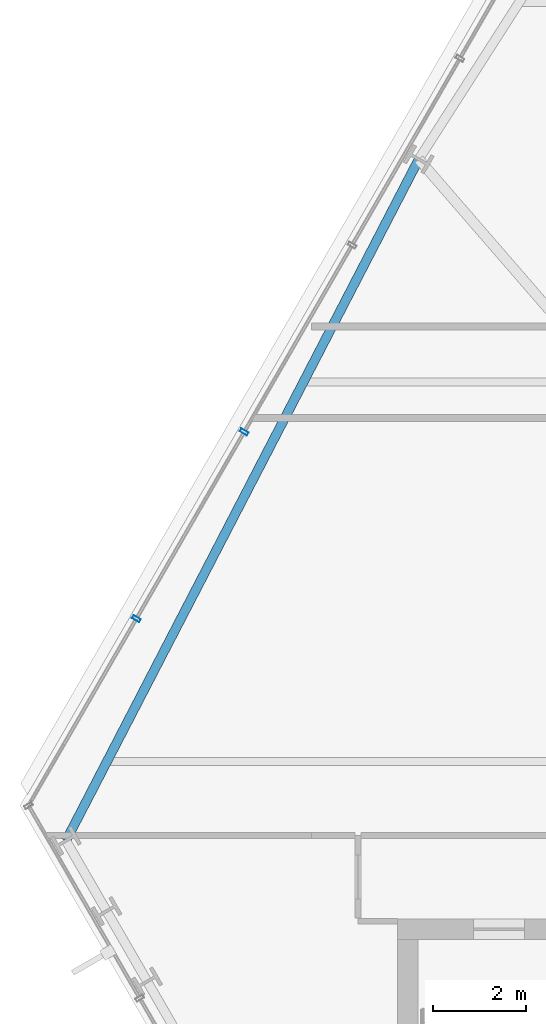
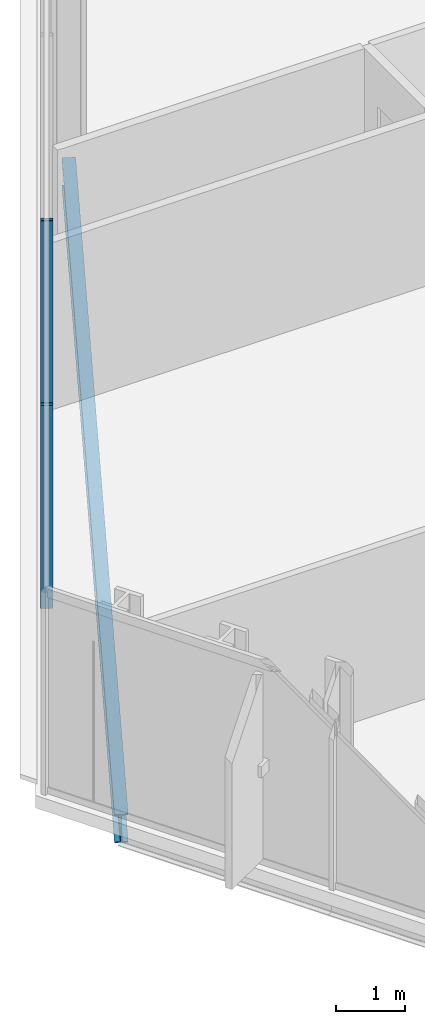
# One storey, part 11 of 33: 2 members, 1 beam, 1 element without a shape of its own.
"""IFC4 building model written with IfcOpenShell, lengths in metres."""

from ifc_helpers import new_model, si_unit, direction, frame, origin, origin_2d, place, context, subcontext, project, spatial, hollow_rectangle, i_section, extrude, material, layer, layer_set, material_profile, profile_set, type_object, element, aggregate, save


model = new_model("IFC4")

# Units and contexts
model_context = context("Model", 3, precision=1e-05, world=origin(), true_north=direction((0.0, 1.0)))
body_context = subcontext(model_context, "Body", "Model", "MODEL_VIEW")
ifc_project = project(units=[si_unit("LENGTHUNIT", "METRE"), si_unit("AREAUNIT", "SQUARE_METRE"), si_unit("VOLUMEUNIT", "CUBIC_METRE"), si_unit("PLANEANGLEUNIT", "RADIAN"), si_unit("MASSUNIT", "GRAM", prefix="KILO")], contexts=[model_context])

# Site, building, storey
site_placement = place(None, origin())
site = spatial("IfcSite", under=ifc_project, at=site_placement, CompositionType="ELEMENT")
building_placement = place(site_placement, origin())
building = spatial("IfcBuilding", under=site, at=building_placement, Name="Ndaravel Arena Tower", CompositionType="ELEMENT")
storey_placement = place(building_placement, frame((0.0, 0.0, 81.60009765625)))
storey = spatial("IfcBuildingStorey", under=building, at=storey_placement, Name="L18", CompositionType="ELEMENT", Elevation=81.60009765625)

# Beam
ifc_material_1 = material(Name="Steel S355", Category="steel")
ifc_material_profile_1 = material_profile(ifc_material_1, i_section(OverallWidth=0.199951171875, OverallDepth=0.5, WebThickness=0.01025390625, FlangeThickness=0.01611328125, FilletRadius=0.02099609375, at=origin_2d()), Name="IPE 500")
ifc_profile_set_1 = profile_set([ifc_material_profile_1], Name="Steel S355")
beam_type = type_object("IfcBeamType", Name="BM-SPAN-IPE500", PredefinedType="SPANDREL", material=ifc_profile_set_1)
beam_placement = place(storey_placement, frame((26.912841796875, 31.61181640625, -0.47021484375), z_axis=(-0.459755761058, -0.888045404342, 0.0), x_axis=(0.888045404342, -0.459755761058, 0.0)))
element("IfcBeam", 1, at=beam_placement, inside=storey, type_object=beam_type, Name="L18 Perimeter Spandrel Beam SP-19", PredefinedType="SPANDREL", context=body_context, shape_type="SweptSolid", body=[
    extrude(i_section(OverallWidth=0.199951171875, OverallDepth=0.5, WebThickness=0.01025390625, FlangeThickness=0.01611328125, FilletRadius=0.02099609375, at=origin_2d()), origin(), (0.0, 0.0, 1.0), 16.58056640625),
])

# Curtain wall, members
ifc_material_2 = material(Name="Aluminium", Category="aluminium")
ifc_layer = layer(ifc_material_2, 0.179931640625)
ifc_layer_set = layer_set([ifc_layer], Name="Aluminium")
curtain_wall_type = type_object("IfcCurtainWallType", Name="CW-SYS-03", PredefinedType="NOTDEFINED", material=ifc_layer_set)
curtain_wall_placement = place(storey_placement, origin())
curtain_wall = element("IfcCurtainWall", 2, at=curtain_wall_placement, inside=storey, type_object=curtain_wall_type, Name="L18 Faceted Crystal Curtain Wall CW-L18-E05", PredefinedType="NOTDEFINED")
ifc_material_3 = material(Name="Aluminium", Category="aluminium")
ifc_material_profile_2 = material_profile(ifc_material_3, hollow_rectangle(XDim=0.074951171875, YDim=0.179931640625, WallThickness=0.00390625, at=origin_2d()), Name="CW MULLION 75x180x4")
ifc_profile_set_2 = profile_set([ifc_material_profile_2], Name="Aluminium")
member_type = type_object("IfcMemberType", Name="MEM-CW-MUL180", PredefinedType="MULLION", material=ifc_profile_set_2)
member_1_placement = place(storey_placement, frame((23.140869140625, 25.71875, 0.0), z_axis=(0.0, 0.0, 1.0), x_axis=(-0.5, -0.866025403784, 0.0)))
member_1 = element("IfcMember", 3, at=member_1_placement, type_object=member_type, Name="CW-L18-E05 Mullion 05", PredefinedType="MULLION", context=body_context, shape_type="SweptSolid", body=[
    extrude(hollow_rectangle(XDim=0.074951171875, YDim=0.179931640625, WallThickness=0.00390625, at=origin_2d()), origin(), (0.0, 0.0, 1.0), 3.579833984375),
])
member_2_placement = place(storey_placement, frame((20.81103515625, 21.683349609375, 0.0), z_axis=(0.0, 0.0, 1.0), x_axis=(-0.5, -0.866025403784, 0.0)))
member_2 = element("IfcMember", 4, at=member_2_placement, type_object=member_type, Name="CW-L18-E05 Mullion 06", PredefinedType="MULLION", context=body_context, shape_type="SweptSolid", body=[
    extrude(hollow_rectangle(XDim=0.074951171875, YDim=0.179931640625, WallThickness=0.00390625, at=origin_2d()), origin(), (0.0, 0.0, 1.0), 3.579833984375),
])
aggregate(curtain_wall, [member_1, member_2])

save(model, "model.ifc")
